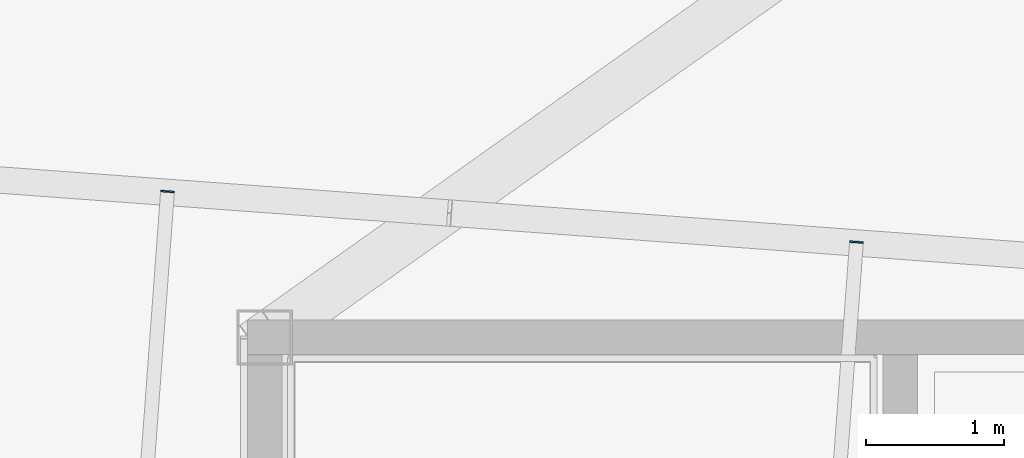
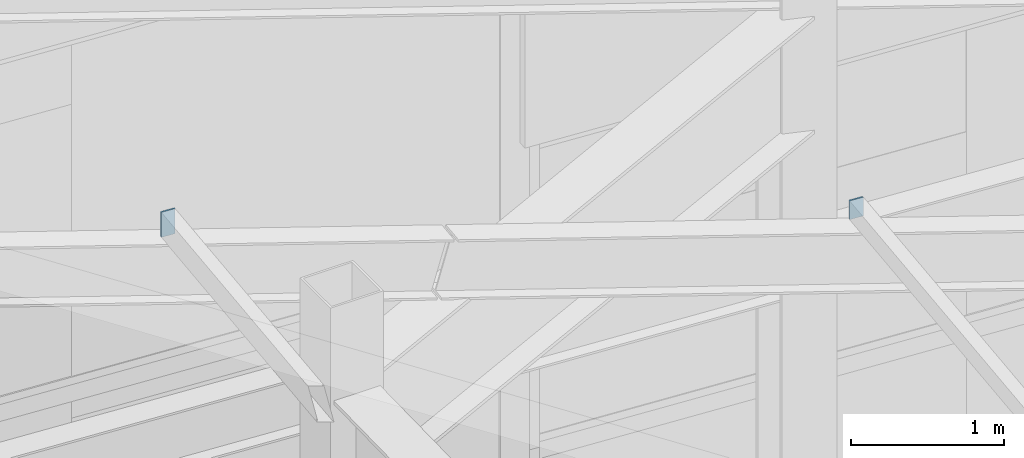
# One storey, part 44 of 56: 2 plates.
"""IFC4 building model written with IfcOpenShell, lengths in metres."""

from ifc_helpers import new_model, si_unit, direction, frame, origin, origin_2d, place, context, subcontext, project, spatial, rectangle, extrude, source, transform, mapped, material, layer, layer_set, type_object, element, save


model = new_model("IFC4")

# Units and contexts
model_context = context("Model", 3, precision=1e-05, world=origin(), true_north=direction((0.0, 1.0)))
body_context = subcontext(model_context, "Body", "Model", "MODEL_VIEW")
ifc_project = project(units=[si_unit("LENGTHUNIT", "METRE"), si_unit("AREAUNIT", "SQUARE_METRE"), si_unit("VOLUMEUNIT", "CUBIC_METRE"), si_unit("PLANEANGLEUNIT", "RADIAN"), si_unit("MASSUNIT", "GRAM", prefix="KILO")], contexts=[model_context])

# Site, building, storey
site_placement = place(None, origin())
site = spatial("IfcSite", under=ifc_project, at=site_placement, CompositionType="ELEMENT")
building_placement = place(site_placement, origin())
building = spatial("IfcBuilding", under=site, at=building_placement, Name="Taldren Reach Tower", CompositionType="ELEMENT")
storey_placement = place(building_placement, frame((0.0, 0.0, 253.050048828125)))
storey = spatial("IfcBuildingStorey", under=building, at=storey_placement, Name="L77", CompositionType="ELEMENT", Elevation=253.050048828125)

# Plates
ifc_material = material(Name="Steel Gr 350 (C350L0)", Category="steel")
ifc_layer_1 = layer(ifc_material, 0.011962890625)
ifc_layer_set_1 = layer_set([ifc_layer_1], Name="Steel Gr 350 (C350L0)")
plate_type_1 = type_object("IfcPlateType", Name="PL-CAP-100X200", PredefinedType="SHEET", material=ifc_layer_set_1)
shared_shape_1 = source(origin(), body_context, "Body", "SweptSolid", [
    extrude(rectangle(XDim=0.10009765625, YDim=0.011962890625, at=origin_2d()), origin(), (0.0, 0.0, 1.0), 0.199951171875),
])
plate_1_placement = place(storey_placement, frame((18.297119140625, 33.056396484375, 15.54248046875), z_axis=(0.0, 0.0, 1.0), x_axis=(0.997314477224, -0.073238197128, 0.0)))
element("IfcPlate", 1, at=plate_1_placement, inside=storey, type_object=plate_type_1, Name="Crown roof purlin end cap plate PR-1.4", PredefinedType="SHEET", context=body_context, shape_type="MappedRepresentation", body=[
    mapped(shared_shape_1, transform((0.0, 0.0, 0.0), scale=1.0)),
])
ifc_layer_2 = layer(ifc_material, 0.011962890625)
ifc_layer_set_2 = layer_set([ifc_layer_2], Name="Steel Gr 350 (C350L0)")
plate_type_2 = type_object("IfcPlateType", Name="PL-CAP-100X150", PredefinedType="SHEET", material=ifc_layer_set_2)
shared_shape_2 = source(origin(), body_context, "Body", "SweptSolid", [
    extrude(rectangle(XDim=0.10009765625, YDim=0.011962890625, at=origin_2d()), origin(), (0.0, 0.0, 1.0), 0.14990234375),
])
plate_2_placement = place(storey_placement, frame((23.28369140625, 32.6904296875, 14.16015625), z_axis=(0.0, 0.0, 1.0), x_axis=(0.997314477224, -0.073238197128, 0.0)))
element("IfcPlate", 2, at=plate_2_placement, inside=storey, type_object=plate_type_2, Name="Crown roof purlin end cap plate PR-2.4", PredefinedType="SHEET", context=body_context, shape_type="MappedRepresentation", body=[
    mapped(shared_shape_2, transform((0.0, 0.0, 0.0), scale=1.0)),
])

save(model, "model.ifc")
